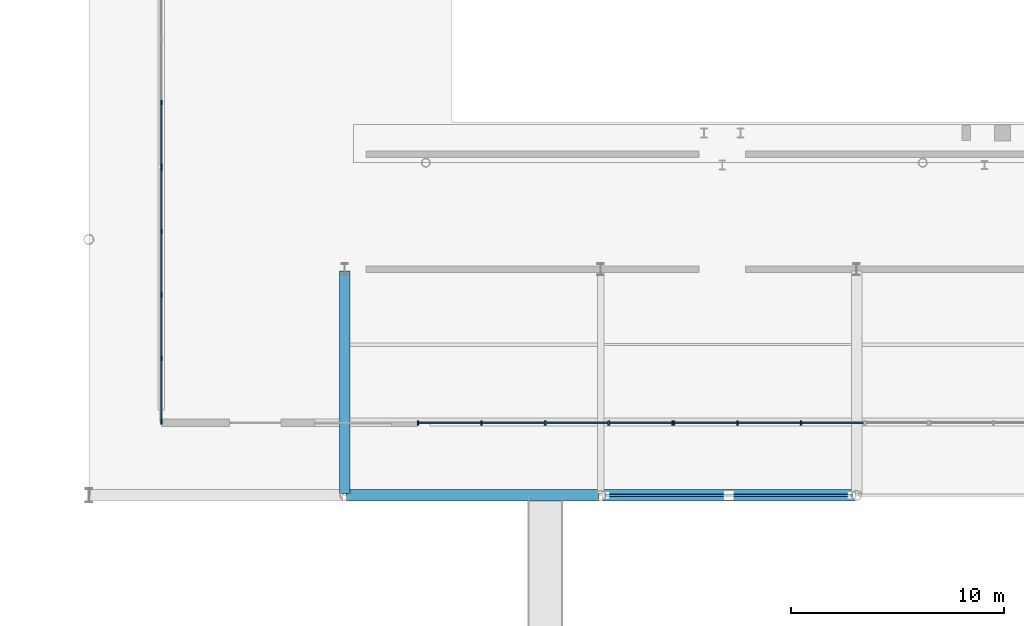
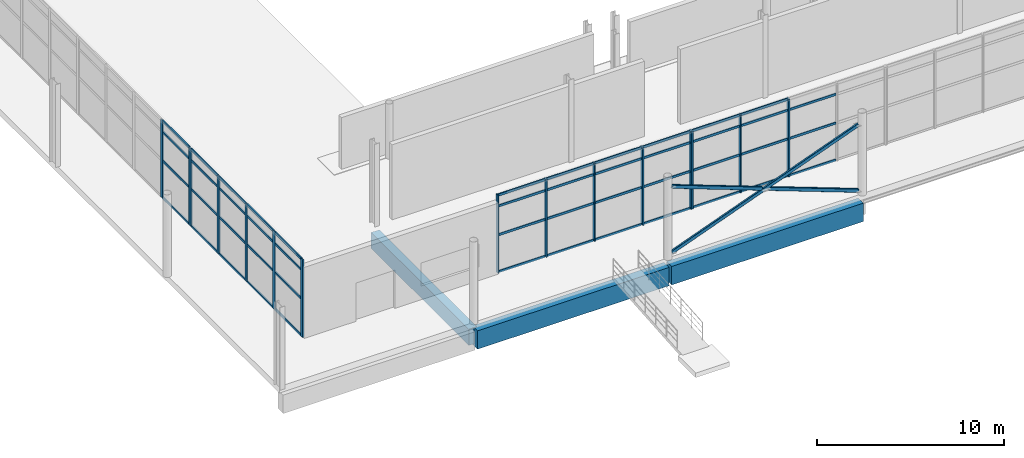
# One storey, part 16 of 85: 65 members, 3 beams, 4 elements without a shape of their own.
"""IFC4 building model written with IfcOpenShell, lengths in metres."""

import ifcopenshell
import ifcopenshell.guid

model = None  # the IFC model being written
_history = None  # IfcOwnerHistory: only IFC2X3 demands one
_inside = {}  # id of a spatial element -> (the spatial element, [elements in it])
_under = {}  # id of a project, library or spatial element -> (it, [spatial elements below it])
_declared = {}  # id of a project -> (the project, [libraries it declares])
_typed = {}  # id of a type object -> (the type object, [elements of that type])
_made_of = {}  # id of a material, layer set ... -> (it, [elements and type objects made of it])


def new_model(schema):
    """Start an empty IFC model of exactly this schema.

    Asked for "IFC4X3", IfcOpenShell would pick the latest addendum, in which some entities
    have other attributes; the version numbers below select the first issue.
    IFC2X3 requires an IfcOwnerHistory on every rooted entity: one is made here for all.
    """
    global model, _history
    if schema == "IFC4X3":
        model = ifcopenshell.file(schema_version=(4, 3, 0, 0))
    else:
        model = ifcopenshell.file(schema=schema)
    _inside.clear()
    _under.clear()
    _declared.clear()
    _typed.clear()
    _made_of.clear()
    _history = None
    if model.schema == "IFC2X3":
        org = make("IfcOrganization", Name="unknown")
        user = make(
            "IfcPersonAndOrganization",
            ThePerson=make("IfcPerson", FamilyName="unknown"),
            TheOrganization=org,
        )
        app = make(
            "IfcApplication",
            ApplicationDeveloper=org,
            Version="unknown",
            ApplicationFullName="unknown",
            ApplicationIdentifier="unknown",
        )
        _history = make(
            "IfcOwnerHistory",
            OwningUser=user,
            OwningApplication=app,
            ChangeAction="ADDED",
            CreationDate=0,
        )
    return model


def make(cls, **values):
    """One entity of the class cls with the attributes given. An attribute that is None is left unset."""
    return model.create_entity(
        cls, **{name: value for name, value in values.items() if value is not None}
    )


def rooted(cls, **values):
    """An entity with a GlobalId (a new one), such as an element, a storey or a relation."""
    return make(cls, GlobalId=ifcopenshell.guid.new(), OwnerHistory=_history, **values)


def si_unit(unit_type, name, prefix=None):
    """IfcSIUnit, for example si_unit("LENGTHUNIT", "METRE", prefix="MILLI")."""
    return make("IfcSIUnit", UnitType=unit_type, Prefix=prefix, Name=name)


def assignment(units):
    """IfcUnitAssignment: the units of a project."""
    return None if units is None else make("IfcUnitAssignment", Units=units)


def point(xyz):
    """IfcCartesianPoint."""
    return None if xyz is None else make("IfcCartesianPoint", Coordinates=xyz)


def direction(xyz):
    """IfcDirection."""
    return None if xyz is None else make("IfcDirection", DirectionRatios=xyz)


def frame(location, z_axis=None, x_axis=None):
    """IfcAxis2Placement3D, a coordinate frame: its origin and axes. An axis left out is left unset."""
    return make(
        "IfcAxis2Placement3D",
        Location=point(location),
        Axis=direction(z_axis),
        RefDirection=direction(x_axis),
    )


def frame_2d(location, x_axis=None):
    """IfcAxis2Placement2D, a coordinate frame in the plane: its origin and x axis."""
    return make(
        "IfcAxis2Placement2D", Location=point(location), RefDirection=direction(x_axis)
    )


def origin():
    """The frame at (0, 0, 0) with its axes left unset."""
    return frame((0.0, 0.0, 0.0))


def origin_2d():
    """The frame at (0, 0) in the plane with its x axis left unset."""
    return frame_2d((0.0, 0.0))


def place(relative_to, where):
    """IfcLocalPlacement: puts the frame where relative to a parent placement (None: the world)."""
    return make(
        "IfcLocalPlacement", PlacementRelTo=relative_to, RelativePlacement=where
    )


def context(
    kind, dimensions, precision=None, world=None, true_north=None, identifier=None
):
    """IfcGeometricRepresentationContext, for example the 3D "Model" context."""
    return make(
        "IfcGeometricRepresentationContext",
        ContextIdentifier=identifier,
        ContextType=kind,
        CoordinateSpaceDimension=dimensions,
        Precision=precision,
        WorldCoordinateSystem=world,
        TrueNorth=true_north,
    )


def subcontext(parent, identifier, kind, view, scale=None):
    """IfcGeometricRepresentationSubContext, for example "Body" below "Model"."""
    return make(
        "IfcGeometricRepresentationSubContext",
        ContextIdentifier=identifier,
        ContextType=kind,
        ParentContext=parent,
        TargetScale=scale,
        TargetView=view,
    )


def project(units=None, contexts=None):
    """IfcProject with its units and contexts."""
    return rooted(
        "IfcProject",
        Name="project",
        RepresentationContexts=contexts,
        UnitsInContext=assignment(units),
    )


def spatial(cls, under=None, at=None, **own):
    """A site, building, storey or space (cls), placed at a placement, below another one or the project."""
    s = rooted(cls, ObjectPlacement=at, **own)
    if under is not None:
        _under.setdefault(under.id(), (under, []))[1].append(s)
    return s


def profile(cls, at=None, kind="AREA", **sizes):
    """A parametric profile (cls). Its sizes go by their IFC names, for example OverallWidth=200.0."""
    return make(cls, ProfileType=kind, Position=at, **sizes)


def rectangle(**sizes):
    """IfcRectangleProfileDef."""
    return profile("IfcRectangleProfileDef", **sizes)


def hollow_rectangle(**sizes):
    """IfcRectangleHollowProfileDef."""
    return profile("IfcRectangleHollowProfileDef", **sizes)


def extrude(swept, where, along, depth):
    """IfcExtrudedAreaSolid: the profile swept, set in the frame where, extruded along a direction by depth."""
    return make(
        "IfcExtrudedAreaSolid",
        SweptArea=swept,
        Position=where,
        ExtrudedDirection=direction(along),
        Depth=depth,
    )


def shape(context_of_items, identifier, shape_type, items):
    """IfcShapeRepresentation: the items that make up one representation, for example the "Body"."""
    return make(
        "IfcShapeRepresentation",
        ContextOfItems=context_of_items,
        RepresentationIdentifier=identifier,
        RepresentationType=shape_type,
        Items=items,
    )


def material(Name=None, Category=None):
    """IfcMaterial."""
    return make("IfcMaterial", Name=Name, Category=Category)


def material_profile(
    of_material, cross_section, Name=None, Category=None, Priority=None
):
    """IfcMaterialProfile: a cross section and its material."""
    return make(
        "IfcMaterialProfile",
        Name=Name,
        Material=of_material,
        Profile=cross_section,
        Priority=Priority,
        Category=Category,
    )


def profile_set(profiles, Name=None, composite=None):
    """IfcMaterialProfileSet."""
    return make(
        "IfcMaterialProfileSet",
        Name=Name,
        MaterialProfiles=profiles,
        CompositeProfile=composite,
    )


def made_of(thing, what):
    """Note that an element or type object is made of a material, layer set ...; save() writes the relation."""
    if what is not None:
        _made_of.setdefault(what.id(), (what, []))[1].append(thing)
    return thing


def type_object(cls, material=None, **own):
    """A type object (cls), such as IfcWallType, which elements share."""
    return made_of(rooted(cls, **own), material)


def element(
    cls,
    number,
    at=None,
    inside=None,
    cuts=None,
    type_object=None,
    material=None,
    context=None,
    identifier="Body",
    shape_type=None,
    held_by="IfcProductDefinitionShape",
    body=None,
    shapes=None,
    **own,
):
    """One element of the class cls, such as IfcWall. Its Tag is "e" and its number.

    at: its placement. inside: the storey or other place that contains it. cuts: it is an
    opening in that element (IfcRelVoidsElement). A single representation is given by context,
    identifier, shape_type and body (its items); several are given by shapes. held_by: the class
    of the entity that holds the representations. save() writes the other relations.
    """
    e = rooted(cls, Tag="e%d" % number, ObjectPlacement=at, **own)
    if body is not None:
        shapes = [shape(context, identifier, shape_type, body)]
    if shapes is not None:
        e.Representation = make(held_by, Representations=shapes)
    if inside is not None:
        _inside.setdefault(inside.id(), (inside, []))[1].append(e)
    if cuts is not None:
        rooted(
            "IfcRelVoidsElement", RelatingBuildingElement=cuts, RelatedOpeningElement=e
        )
    if type_object is not None:
        _typed.setdefault(type_object.id(), (type_object, []))[1].append(e)
    return made_of(e, material)


def aggregate(whole, parts):
    """IfcRelAggregates: a whole, such as a stair, and the parts it consists of."""
    return rooted("IfcRelAggregates", RelatingObject=whole, RelatedObjects=parts)


def save(model, path):
    """Write the relations noted so far, then the file.

    IfcRelAggregates (storeys below a building ...), IfcRelContainedInSpatialStructure (elements
    in a storey), IfcRelDefinesByType, IfcRelAssociatesMaterial and IfcRelDeclares: one each for
    every whole, place, type object, material and project.
    """
    for whole, parts in _under.values():
        aggregate(whole, parts)
    for where, things in _inside.values():
        rooted(
            "IfcRelContainedInSpatialStructure",
            RelatedElements=things,
            RelatingStructure=where,
        )
    for kind, things in _typed.values():
        rooted("IfcRelDefinesByType", RelatedObjects=things, RelatingType=kind)
    for what, things in _made_of.values():
        rooted("IfcRelAssociatesMaterial", RelatedObjects=things, RelatingMaterial=what)
    for by, libraries in _declared.values():
        rooted("IfcRelDeclares", RelatingContext=by, RelatedDefinitions=libraries)
    model.write(path)


model = new_model("IFC4")

# Units and contexts
model_context = context("Model", 3, precision=1e-05, world=origin(), true_north=direction((0.0, 1.0)))
body_context = subcontext(model_context, "Body", "Model", "MODEL_VIEW")
ifc_project = project(units=[si_unit("LENGTHUNIT", "METRE"), si_unit("AREAUNIT", "SQUARE_METRE"), si_unit("VOLUMEUNIT", "CUBIC_METRE"), si_unit("PLANEANGLEUNIT", "RADIAN"), si_unit("MASSUNIT", "GRAM", prefix="KILO"), si_unit("THERMODYNAMICTEMPERATUREUNIT", "KELVIN"), si_unit("POWERUNIT", "WATT")], contexts=[model_context])

# Site, building, storey
site_placement = place(None, origin())
site = spatial("IfcSite", under=ifc_project, at=site_placement, CompositionType="ELEMENT")
building_placement = place(site_placement, origin())
building = spatial("IfcBuilding", under=site, at=building_placement, Name="Solmara Park Aquatics Centre", CompositionType="ELEMENT")
storey_placement = place(building_placement, origin())
storey = spatial("IfcBuildingStorey", under=building, at=storey_placement, Name="L00", CompositionType="ELEMENT", Elevation=0.0)

# Curtain wall, members
ifc_material_1 = material(Name="Anodised Aluminium Curtain Wall Framing", Category="aluminium")
curtain_wall_type = type_object("IfcCurtainWallType", Name="ARC-CW-SYS01", PredefinedType="USERDEFINED", material=ifc_material_1)
curtain_wall_1_placement = place(storey_placement, origin())
curtain_wall_1 = element("IfcCurtainWall", 1, at=curtain_wall_1_placement, inside=storey, type_object=curtain_wall_type, Name="Curtain Wall CW-001", ObjectType="CURTAIN WALL", PredefinedType="USERDEFINED")
ifc_material_2 = material(Name="Anodised Aluminium Alloy 6063-T6", Category="aluminium")
ifc_material_profile_1 = material_profile(ifc_material_2, rectangle(XDim=0.074951171875, YDim=0.219970703125, at=origin_2d()), Name="ALU MULLION 75x220")
ifc_profile_set_1 = profile_set([ifc_material_profile_1], Name="Anodised Aluminium Alloy 6063-T6")
member_type_1 = type_object("IfcMemberType", Name="ARC-CWM-75x220", PredefinedType="MULLION", material=ifc_profile_set_1)
member_1_placement = place(storey_placement, frame((28.0400390625, 16.0, 0.0), z_axis=(0.0, 0.0, 1.0), x_axis=(1.0, 0.0, 0.0)))
member_1 = element("IfcMember", 2, at=member_1_placement, type_object=member_type_1, Name="CW-001 mullion 1", PredefinedType="MULLION", context=body_context, shape_type="SweptSolid", body=[
    extrude(rectangle(XDim=0.074951171875, YDim=0.219970703125, at=origin_2d()), origin(), (0.0, 0.0, 1.0), 5.080078125),
])
member_2_placement = place(storey_placement, frame((31.02001953125, 16.0, 0.0), z_axis=(0.0, 0.0, 1.0), x_axis=(1.0, 0.0, 0.0)))
member_2 = element("IfcMember", 3, at=member_2_placement, type_object=member_type_1, Name="CW-001 mullion 2", PredefinedType="MULLION", context=body_context, shape_type="SweptSolid", body=[
    extrude(rectangle(XDim=0.074951171875, YDim=0.219970703125, at=origin_2d()), origin(), (0.0, 0.0, 1.0), 5.080078125),
])
member_3_placement = place(storey_placement, frame((34.0, 16.0, 0.0), z_axis=(0.0, 0.0, 1.0), x_axis=(1.0, 0.0, 0.0)))
member_3 = element("IfcMember", 4, at=member_3_placement, type_object=member_type_1, Name="CW-001 mullion 3", PredefinedType="MULLION", context=body_context, shape_type="SweptSolid", body=[
    extrude(rectangle(XDim=0.074951171875, YDim=0.219970703125, at=origin_2d()), origin(), (0.0, 0.0, 1.0), 5.080078125),
])
member_4_placement = place(storey_placement, frame((36.97998046875, 16.0, 0.0), z_axis=(0.0, 0.0, 1.0), x_axis=(1.0, 0.0, 0.0)))
member_4 = element("IfcMember", 5, at=member_4_placement, type_object=member_type_1, Name="CW-001 mullion 4", PredefinedType="MULLION", context=body_context, shape_type="SweptSolid", body=[
    extrude(rectangle(XDim=0.074951171875, YDim=0.219970703125, at=origin_2d()), origin(), (0.0, 0.0, 1.0), 5.080078125),
])
member_5_placement = place(storey_placement, frame((39.9599609375, 16.0, 0.0), z_axis=(0.0, 0.0, 1.0), x_axis=(1.0, 0.0, 0.0)))
member_5 = element("IfcMember", 6, at=member_5_placement, type_object=member_type_1, Name="CW-001 mullion 5", PredefinedType="MULLION", context=body_context, shape_type="SweptSolid", body=[
    extrude(rectangle(XDim=0.074951171875, YDim=0.219970703125, at=origin_2d()), origin(), (0.0, 0.0, 1.0), 5.080078125),
])

curtain_wall_2_placement = place(storey_placement, origin())
curtain_wall_2 = element("IfcCurtainWall", 7, at=curtain_wall_2_placement, inside=storey, type_object=curtain_wall_type, Name="Curtain Wall CW-003", ObjectType="CURTAIN WALL", PredefinedType="USERDEFINED")
member_6_placement = place(storey_placement, frame((40.0400390625, 16.0, 0.0), z_axis=(0.0, 0.0, 1.0), x_axis=(1.0, 0.0, 0.0)))
member_6 = element("IfcMember", 8, at=member_6_placement, type_object=member_type_1, Name="CW-003 mullion 1", PredefinedType="MULLION", context=body_context, shape_type="SweptSolid", body=[
    extrude(rectangle(XDim=0.074951171875, YDim=0.219970703125, at=origin_2d()), origin(), (0.0, 0.0, 1.0), 5.080078125),
])
member_7_placement = place(storey_placement, frame((43.02001953125, 16.0, 0.0), z_axis=(0.0, 0.0, 1.0), x_axis=(1.0, 0.0, 0.0)))
member_7 = element("IfcMember", 9, at=member_7_placement, type_object=member_type_1, Name="CW-003 mullion 2", PredefinedType="MULLION", context=body_context, shape_type="SweptSolid", body=[
    extrude(rectangle(XDim=0.074951171875, YDim=0.219970703125, at=origin_2d()), origin(), (0.0, 0.0, 1.0), 5.080078125),
])
member_8_placement = place(storey_placement, frame((46.0, 16.0, 0.0), z_axis=(0.0, 0.0, 1.0), x_axis=(1.0, 0.0, 0.0)))
member_8 = element("IfcMember", 10, at=member_8_placement, type_object=member_type_1, Name="CW-003 mullion 3", PredefinedType="MULLION", context=body_context, shape_type="SweptSolid", body=[
    extrude(rectangle(XDim=0.074951171875, YDim=0.219970703125, at=origin_2d()), origin(), (0.0, 0.0, 1.0), 5.080078125),
])

curtain_wall_3_placement = place(storey_placement, origin())
curtain_wall_3 = element("IfcCurtainWall", 11, at=curtain_wall_3_placement, inside=storey, type_object=curtain_wall_type, Name="Curtain Wall CW-011", ObjectType="CURTAIN WALL", PredefinedType="USERDEFINED")
member_9_placement = place(storey_placement, frame((16.0, 16.0400390625, 0.0), z_axis=(0.0, 0.0, 1.0), x_axis=(1.0, 0.0, 0.0)))
member_9 = element("IfcMember", 12, at=member_9_placement, type_object=member_type_1, Name="CW-011 mullion 1", PredefinedType="MULLION", context=body_context, shape_type="SweptSolid", body=[
    extrude(rectangle(XDim=0.074951171875, YDim=0.219970703125, at=origin_2d()), origin(), (0.0, 0.0, 1.0), 5.080078125),
])
member_10_placement = place(storey_placement, frame((16.0, 19.02001953125, 0.0), z_axis=(0.0, 0.0, 1.0), x_axis=(1.0, 0.0, 0.0)))
member_10 = element("IfcMember", 13, at=member_10_placement, type_object=member_type_1, Name="CW-011 mullion 2", PredefinedType="MULLION", context=body_context, shape_type="SweptSolid", body=[
    extrude(rectangle(XDim=0.074951171875, YDim=0.219970703125, at=origin_2d()), origin(), (0.0, 0.0, 1.0), 5.080078125),
])
member_11_placement = place(storey_placement, frame((16.0, 22.0, 0.0), z_axis=(0.0, 0.0, 1.0), x_axis=(1.0, 0.0, 0.0)))
member_11 = element("IfcMember", 14, at=member_11_placement, type_object=member_type_1, Name="CW-011 mullion 3", PredefinedType="MULLION", context=body_context, shape_type="SweptSolid", body=[
    extrude(rectangle(XDim=0.074951171875, YDim=0.219970703125, at=origin_2d()), origin(), (0.0, 0.0, 1.0), 5.080078125),
])
member_12_placement = place(storey_placement, frame((16.0, 24.97998046875, 0.0), z_axis=(0.0, 0.0, 1.0), x_axis=(1.0, 0.0, 0.0)))
member_12 = element("IfcMember", 15, at=member_12_placement, type_object=member_type_1, Name="CW-011 mullion 4", PredefinedType="MULLION", context=body_context, shape_type="SweptSolid", body=[
    extrude(rectangle(XDim=0.074951171875, YDim=0.219970703125, at=origin_2d()), origin(), (0.0, 0.0, 1.0), 5.080078125),
])
member_13_placement = place(storey_placement, frame((16.0, 27.9599609375, 0.0), z_axis=(0.0, 0.0, 1.0), x_axis=(1.0, 0.0, 0.0)))
member_13 = element("IfcMember", 16, at=member_13_placement, type_object=member_type_1, Name="CW-011 mullion 5", PredefinedType="MULLION", context=body_context, shape_type="SweptSolid", body=[
    extrude(rectangle(XDim=0.074951171875, YDim=0.219970703125, at=origin_2d()), origin(), (0.0, 0.0, 1.0), 5.080078125),
])

curtain_wall_4_placement = place(storey_placement, origin())
curtain_wall_4 = element("IfcCurtainWall", 17, at=curtain_wall_4_placement, inside=storey, type_object=curtain_wall_type, Name="Curtain Wall CW-013", ObjectType="CURTAIN WALL", PredefinedType="USERDEFINED")
member_14_placement = place(storey_placement, frame((16.0, 28.0400390625, 0.0), z_axis=(0.0, 0.0, 1.0), x_axis=(1.0, 0.0, 0.0)))
member_14 = element("IfcMember", 18, at=member_14_placement, type_object=member_type_1, Name="CW-013 mullion 1", PredefinedType="MULLION", context=body_context, shape_type="SweptSolid", body=[
    extrude(rectangle(XDim=0.074951171875, YDim=0.219970703125, at=origin_2d()), origin(), (0.0, 0.0, 1.0), 5.080078125),
])
member_15_placement = place(storey_placement, frame((16.0, 31.02001953125, 0.0), z_axis=(0.0, 0.0, 1.0), x_axis=(1.0, 0.0, 0.0)))
member_15 = element("IfcMember", 19, at=member_15_placement, type_object=member_type_1, Name="CW-013 mullion 2", PredefinedType="MULLION", context=body_context, shape_type="SweptSolid", body=[
    extrude(rectangle(XDim=0.074951171875, YDim=0.219970703125, at=origin_2d()), origin(), (0.0, 0.0, 1.0), 5.080078125),
])

# Member
ifc_material_profile_2 = material_profile(ifc_material_2, rectangle(XDim=0.074951171875, YDim=0.14990234375, at=origin_2d()), Name="ALU TRANSOM 75x150")
ifc_profile_set_2 = profile_set([ifc_material_profile_2], Name="Anodised Aluminium Alloy 6063-T6")
member_type_2 = type_object("IfcMemberType", Name="ARC-CWT-75x150", PredefinedType="USERDEFINED", material=ifc_profile_set_2)
member_16_placement = place(storey_placement, frame((28.06005859375, 16.0, 0.0400390625), z_axis=(1.0, 0.0, 0.0), x_axis=(0.0, 1.0, 0.0)))
member_16 = element("IfcMember", 20, at=member_16_placement, type_object=member_type_2, Name="CW-001 transom 1", ObjectType="TRANSOM", PredefinedType="USERDEFINED", context=body_context, shape_type="SweptSolid", body=[
    extrude(rectangle(XDim=0.074951171875, YDim=0.14990234375, at=origin_2d()), origin(), (0.0, 0.0, 1.0), 2.89990234375),
])

member_17_placement = place(storey_placement, frame((28.06005859375, 16.0, 2.449951171875), z_axis=(1.0, 0.0, 0.0), x_axis=(0.0, 1.0, 0.0)))
member_17 = element("IfcMember", 21, at=member_17_placement, type_object=member_type_2, Name="CW-001 transom 2", ObjectType="TRANSOM", PredefinedType="USERDEFINED", context=body_context, shape_type="SweptSolid", body=[
    extrude(rectangle(XDim=0.074951171875, YDim=0.14990234375, at=origin_2d()), origin(), (0.0, 0.0, 1.0), 2.89990234375),
])

member_18_placement = place(storey_placement, frame((28.06005859375, 16.0, 4.330078125), z_axis=(1.0, 0.0, 0.0), x_axis=(0.0, 1.0, 0.0)))
member_18 = element("IfcMember", 22, at=member_18_placement, type_object=member_type_2, Name="CW-001 transom 3", ObjectType="TRANSOM", PredefinedType="USERDEFINED", context=body_context, shape_type="SweptSolid", body=[
    extrude(rectangle(XDim=0.074951171875, YDim=0.14990234375, at=origin_2d()), origin(), (0.0, 0.0, 1.0), 2.89990234375),
])

member_19_placement = place(storey_placement, frame((28.06005859375, 16.0, 5.0400390625), z_axis=(1.0, 0.0, 0.0), x_axis=(0.0, 1.0, 0.0)))
member_19 = element("IfcMember", 23, at=member_19_placement, type_object=member_type_2, Name="CW-001 transom 4", ObjectType="TRANSOM", PredefinedType="USERDEFINED", context=body_context, shape_type="SweptSolid", body=[
    extrude(rectangle(XDim=0.074951171875, YDim=0.14990234375, at=origin_2d()), origin(), (0.0, 0.0, 1.0), 2.89990234375),
])

member_20_placement = place(storey_placement, frame((31.0400390625, 16.0, 0.0400390625), z_axis=(1.0, 0.0, 0.0), x_axis=(0.0, 1.0, 0.0)))
member_20 = element("IfcMember", 24, at=member_20_placement, type_object=member_type_2, Name="CW-001 transom 5", ObjectType="TRANSOM", PredefinedType="USERDEFINED", context=body_context, shape_type="SweptSolid", body=[
    extrude(rectangle(XDim=0.074951171875, YDim=0.14990234375, at=origin_2d()), origin(), (0.0, 0.0, 1.0), 2.89990234375),
])

member_21_placement = place(storey_placement, frame((31.0400390625, 16.0, 2.449951171875), z_axis=(1.0, 0.0, 0.0), x_axis=(0.0, 1.0, 0.0)))
member_21 = element("IfcMember", 25, at=member_21_placement, type_object=member_type_2, Name="CW-001 transom 6", ObjectType="TRANSOM", PredefinedType="USERDEFINED", context=body_context, shape_type="SweptSolid", body=[
    extrude(rectangle(XDim=0.074951171875, YDim=0.14990234375, at=origin_2d()), origin(), (0.0, 0.0, 1.0), 2.89990234375),
])

member_22_placement = place(storey_placement, frame((31.0400390625, 16.0, 4.330078125), z_axis=(1.0, 0.0, 0.0), x_axis=(0.0, 1.0, 0.0)))
member_22 = element("IfcMember", 26, at=member_22_placement, type_object=member_type_2, Name="CW-001 transom 7", ObjectType="TRANSOM", PredefinedType="USERDEFINED", context=body_context, shape_type="SweptSolid", body=[
    extrude(rectangle(XDim=0.074951171875, YDim=0.14990234375, at=origin_2d()), origin(), (0.0, 0.0, 1.0), 2.89990234375),
])

member_23_placement = place(storey_placement, frame((31.0400390625, 16.0, 5.0400390625), z_axis=(1.0, 0.0, 0.0), x_axis=(0.0, 1.0, 0.0)))
member_23 = element("IfcMember", 27, at=member_23_placement, type_object=member_type_2, Name="CW-001 transom 8", ObjectType="TRANSOM", PredefinedType="USERDEFINED", context=body_context, shape_type="SweptSolid", body=[
    extrude(rectangle(XDim=0.074951171875, YDim=0.14990234375, at=origin_2d()), origin(), (0.0, 0.0, 1.0), 2.89990234375),
])

member_24_placement = place(storey_placement, frame((34.02001953125, 16.0, 0.0400390625), z_axis=(1.0, 0.0, 0.0), x_axis=(0.0, 1.0, 0.0)))
member_24 = element("IfcMember", 28, at=member_24_placement, type_object=member_type_2, Name="CW-001 transom 9", ObjectType="TRANSOM", PredefinedType="USERDEFINED", context=body_context, shape_type="SweptSolid", body=[
    extrude(rectangle(XDim=0.074951171875, YDim=0.14990234375, at=origin_2d()), origin(), (0.0, 0.0, 1.0), 2.89990234375),
])

member_25_placement = place(storey_placement, frame((34.02001953125, 16.0, 2.449951171875), z_axis=(1.0, 0.0, 0.0), x_axis=(0.0, 1.0, 0.0)))
member_25 = element("IfcMember", 29, at=member_25_placement, type_object=member_type_2, Name="CW-001 transom 10", ObjectType="TRANSOM", PredefinedType="USERDEFINED", context=body_context, shape_type="SweptSolid", body=[
    extrude(rectangle(XDim=0.074951171875, YDim=0.14990234375, at=origin_2d()), origin(), (0.0, 0.0, 1.0), 2.89990234375),
])

member_26_placement = place(storey_placement, frame((34.02001953125, 16.0, 4.330078125), z_axis=(1.0, 0.0, 0.0), x_axis=(0.0, 1.0, 0.0)))
member_26 = element("IfcMember", 30, at=member_26_placement, type_object=member_type_2, Name="CW-001 transom 11", ObjectType="TRANSOM", PredefinedType="USERDEFINED", context=body_context, shape_type="SweptSolid", body=[
    extrude(rectangle(XDim=0.074951171875, YDim=0.14990234375, at=origin_2d()), origin(), (0.0, 0.0, 1.0), 2.89990234375),
])

member_27_placement = place(storey_placement, frame((34.02001953125, 16.0, 5.0400390625), z_axis=(1.0, 0.0, 0.0), x_axis=(0.0, 1.0, 0.0)))
member_27 = element("IfcMember", 31, at=member_27_placement, type_object=member_type_2, Name="CW-001 transom 12", ObjectType="TRANSOM", PredefinedType="USERDEFINED", context=body_context, shape_type="SweptSolid", body=[
    extrude(rectangle(XDim=0.074951171875, YDim=0.14990234375, at=origin_2d()), origin(), (0.0, 0.0, 1.0), 2.89990234375),
])

member_28_placement = place(storey_placement, frame((37.0, 16.0, 0.0400390625), z_axis=(1.0, 0.0, 0.0), x_axis=(0.0, 1.0, 0.0)))
member_28 = element("IfcMember", 32, at=member_28_placement, type_object=member_type_2, Name="CW-001 transom 13", ObjectType="TRANSOM", PredefinedType="USERDEFINED", context=body_context, shape_type="SweptSolid", body=[
    extrude(rectangle(XDim=0.074951171875, YDim=0.14990234375, at=origin_2d()), origin(), (0.0, 0.0, 1.0), 2.89990234375),
])

member_29_placement = place(storey_placement, frame((37.0, 16.0, 2.449951171875), z_axis=(1.0, 0.0, 0.0), x_axis=(0.0, 1.0, 0.0)))
member_29 = element("IfcMember", 33, at=member_29_placement, type_object=member_type_2, Name="CW-001 transom 14", ObjectType="TRANSOM", PredefinedType="USERDEFINED", context=body_context, shape_type="SweptSolid", body=[
    extrude(rectangle(XDim=0.074951171875, YDim=0.14990234375, at=origin_2d()), origin(), (0.0, 0.0, 1.0), 2.89990234375),
])

member_30_placement = place(storey_placement, frame((37.0, 16.0, 4.330078125), z_axis=(1.0, 0.0, 0.0), x_axis=(0.0, 1.0, 0.0)))
member_30 = element("IfcMember", 34, at=member_30_placement, type_object=member_type_2, Name="CW-001 transom 15", ObjectType="TRANSOM", PredefinedType="USERDEFINED", context=body_context, shape_type="SweptSolid", body=[
    extrude(rectangle(XDim=0.074951171875, YDim=0.14990234375, at=origin_2d()), origin(), (0.0, 0.0, 1.0), 2.89990234375),
])

member_31_placement = place(storey_placement, frame((37.0, 16.0, 5.0400390625), z_axis=(1.0, 0.0, 0.0), x_axis=(0.0, 1.0, 0.0)))
member_31 = element("IfcMember", 35, at=member_31_placement, type_object=member_type_2, Name="CW-001 transom 16", ObjectType="TRANSOM", PredefinedType="USERDEFINED", context=body_context, shape_type="SweptSolid", body=[
    extrude(rectangle(XDim=0.074951171875, YDim=0.14990234375, at=origin_2d()), origin(), (0.0, 0.0, 1.0), 2.89990234375),
])

aggregate(curtain_wall_1, [member_1, member_2, member_3, member_4, member_5, member_16, member_17, member_18, member_19, member_20, member_21, member_22, member_23, member_24, member_25, member_26, member_27, member_28, member_29, member_30, member_31])

member_32_placement = place(storey_placement, frame((40.06005859375, 16.0, 0.0400390625), z_axis=(1.0, 0.0, 0.0), x_axis=(0.0, 1.0, 0.0)))
member_32 = element("IfcMember", 36, at=member_32_placement, type_object=member_type_2, Name="CW-003 transom 1", ObjectType="TRANSOM", PredefinedType="USERDEFINED", context=body_context, shape_type="SweptSolid", body=[
    extrude(rectangle(XDim=0.074951171875, YDim=0.14990234375, at=origin_2d()), origin(), (0.0, 0.0, 1.0), 2.89990234375),
])

member_33_placement = place(storey_placement, frame((40.06005859375, 16.0, 2.449951171875), z_axis=(1.0, 0.0, 0.0), x_axis=(0.0, 1.0, 0.0)))
member_33 = element("IfcMember", 37, at=member_33_placement, type_object=member_type_2, Name="CW-003 transom 2", ObjectType="TRANSOM", PredefinedType="USERDEFINED", context=body_context, shape_type="SweptSolid", body=[
    extrude(rectangle(XDim=0.074951171875, YDim=0.14990234375, at=origin_2d()), origin(), (0.0, 0.0, 1.0), 2.89990234375),
])

member_34_placement = place(storey_placement, frame((40.06005859375, 16.0, 4.330078125), z_axis=(1.0, 0.0, 0.0), x_axis=(0.0, 1.0, 0.0)))
member_34 = element("IfcMember", 38, at=member_34_placement, type_object=member_type_2, Name="CW-003 transom 3", ObjectType="TRANSOM", PredefinedType="USERDEFINED", context=body_context, shape_type="SweptSolid", body=[
    extrude(rectangle(XDim=0.074951171875, YDim=0.14990234375, at=origin_2d()), origin(), (0.0, 0.0, 1.0), 2.89990234375),
])

member_35_placement = place(storey_placement, frame((40.06005859375, 16.0, 5.0400390625), z_axis=(1.0, 0.0, 0.0), x_axis=(0.0, 1.0, 0.0)))
member_35 = element("IfcMember", 39, at=member_35_placement, type_object=member_type_2, Name="CW-003 transom 4", ObjectType="TRANSOM", PredefinedType="USERDEFINED", context=body_context, shape_type="SweptSolid", body=[
    extrude(rectangle(XDim=0.074951171875, YDim=0.14990234375, at=origin_2d()), origin(), (0.0, 0.0, 1.0), 2.89990234375),
])

member_36_placement = place(storey_placement, frame((43.0400390625, 16.0, 0.0400390625), z_axis=(1.0, 0.0, 0.0), x_axis=(0.0, 1.0, 0.0)))
member_36 = element("IfcMember", 40, at=member_36_placement, type_object=member_type_2, Name="CW-003 transom 5", ObjectType="TRANSOM", PredefinedType="USERDEFINED", context=body_context, shape_type="SweptSolid", body=[
    extrude(rectangle(XDim=0.074951171875, YDim=0.14990234375, at=origin_2d()), origin(), (0.0, 0.0, 1.0), 2.89990234375),
])

member_37_placement = place(storey_placement, frame((43.0400390625, 16.0, 2.449951171875), z_axis=(1.0, 0.0, 0.0), x_axis=(0.0, 1.0, 0.0)))
member_37 = element("IfcMember", 41, at=member_37_placement, type_object=member_type_2, Name="CW-003 transom 6", ObjectType="TRANSOM", PredefinedType="USERDEFINED", context=body_context, shape_type="SweptSolid", body=[
    extrude(rectangle(XDim=0.074951171875, YDim=0.14990234375, at=origin_2d()), origin(), (0.0, 0.0, 1.0), 2.89990234375),
])

member_38_placement = place(storey_placement, frame((43.0400390625, 16.0, 4.330078125), z_axis=(1.0, 0.0, 0.0), x_axis=(0.0, 1.0, 0.0)))
member_38 = element("IfcMember", 42, at=member_38_placement, type_object=member_type_2, Name="CW-003 transom 7", ObjectType="TRANSOM", PredefinedType="USERDEFINED", context=body_context, shape_type="SweptSolid", body=[
    extrude(rectangle(XDim=0.074951171875, YDim=0.14990234375, at=origin_2d()), origin(), (0.0, 0.0, 1.0), 2.89990234375),
])

member_39_placement = place(storey_placement, frame((43.0400390625, 16.0, 5.0400390625), z_axis=(1.0, 0.0, 0.0), x_axis=(0.0, 1.0, 0.0)))
member_39 = element("IfcMember", 43, at=member_39_placement, type_object=member_type_2, Name="CW-003 transom 8", ObjectType="TRANSOM", PredefinedType="USERDEFINED", context=body_context, shape_type="SweptSolid", body=[
    extrude(rectangle(XDim=0.074951171875, YDim=0.14990234375, at=origin_2d()), origin(), (0.0, 0.0, 1.0), 2.89990234375),
])

member_40_placement = place(storey_placement, frame((46.02001953125, 16.0, 0.0400390625), z_axis=(1.0, 0.0, 0.0), x_axis=(0.0, 1.0, 0.0)))
member_40 = element("IfcMember", 44, at=member_40_placement, type_object=member_type_2, Name="CW-003 transom 9", ObjectType="TRANSOM", PredefinedType="USERDEFINED", context=body_context, shape_type="SweptSolid", body=[
    extrude(rectangle(XDim=0.074951171875, YDim=0.14990234375, at=origin_2d()), origin(), (0.0, 0.0, 1.0), 2.89990234375),
])

member_41_placement = place(storey_placement, frame((46.02001953125, 16.0, 2.449951171875), z_axis=(1.0, 0.0, 0.0), x_axis=(0.0, 1.0, 0.0)))
member_41 = element("IfcMember", 45, at=member_41_placement, type_object=member_type_2, Name="CW-003 transom 10", ObjectType="TRANSOM", PredefinedType="USERDEFINED", context=body_context, shape_type="SweptSolid", body=[
    extrude(rectangle(XDim=0.074951171875, YDim=0.14990234375, at=origin_2d()), origin(), (0.0, 0.0, 1.0), 2.89990234375),
])

member_42_placement = place(storey_placement, frame((46.02001953125, 16.0, 4.330078125), z_axis=(1.0, 0.0, 0.0), x_axis=(0.0, 1.0, 0.0)))
member_42 = element("IfcMember", 46, at=member_42_placement, type_object=member_type_2, Name="CW-003 transom 11", ObjectType="TRANSOM", PredefinedType="USERDEFINED", context=body_context, shape_type="SweptSolid", body=[
    extrude(rectangle(XDim=0.074951171875, YDim=0.14990234375, at=origin_2d()), origin(), (0.0, 0.0, 1.0), 2.89990234375),
])

aggregate(curtain_wall_2, [member_6, member_7, member_8, member_32, member_33, member_34, member_35, member_36, member_37, member_38, member_39, member_40, member_41, member_42])

member_43_placement = place(storey_placement, frame((16.0, 16.06005859375, 0.0400390625), z_axis=(0.0, 1.0, 0.0), x_axis=(-1.0, 0.0, 0.0)))
member_43 = element("IfcMember", 47, at=member_43_placement, type_object=member_type_2, Name="CW-011 transom 1", ObjectType="TRANSOM", PredefinedType="USERDEFINED", context=body_context, shape_type="SweptSolid", body=[
    extrude(rectangle(XDim=0.074951171875, YDim=0.14990234375, at=origin_2d()), origin(), (0.0, 0.0, 1.0), 2.89990234375),
])

member_44_placement = place(storey_placement, frame((16.0, 16.06005859375, 2.449951171875), z_axis=(0.0, 1.0, 0.0), x_axis=(-1.0, 0.0, 0.0)))
member_44 = element("IfcMember", 48, at=member_44_placement, type_object=member_type_2, Name="CW-011 transom 2", ObjectType="TRANSOM", PredefinedType="USERDEFINED", context=body_context, shape_type="SweptSolid", body=[
    extrude(rectangle(XDim=0.074951171875, YDim=0.14990234375, at=origin_2d()), origin(), (0.0, 0.0, 1.0), 2.89990234375),
])

member_45_placement = place(storey_placement, frame((16.0, 16.06005859375, 4.330078125), z_axis=(0.0, 1.0, 0.0), x_axis=(-1.0, 0.0, 0.0)))
member_45 = element("IfcMember", 49, at=member_45_placement, type_object=member_type_2, Name="CW-011 transom 3", ObjectType="TRANSOM", PredefinedType="USERDEFINED", context=body_context, shape_type="SweptSolid", body=[
    extrude(rectangle(XDim=0.074951171875, YDim=0.14990234375, at=origin_2d()), origin(), (0.0, 0.0, 1.0), 2.89990234375),
])

member_46_placement = place(storey_placement, frame((16.0, 16.06005859375, 5.0400390625), z_axis=(0.0, 1.0, 0.0), x_axis=(-1.0, 0.0, 0.0)))
member_46 = element("IfcMember", 50, at=member_46_placement, type_object=member_type_2, Name="CW-011 transom 4", ObjectType="TRANSOM", PredefinedType="USERDEFINED", context=body_context, shape_type="SweptSolid", body=[
    extrude(rectangle(XDim=0.074951171875, YDim=0.14990234375, at=origin_2d()), origin(), (0.0, 0.0, 1.0), 2.89990234375),
])

member_47_placement = place(storey_placement, frame((16.0, 19.0400390625, 0.0400390625), z_axis=(0.0, 1.0, 0.0), x_axis=(-1.0, 0.0, 0.0)))
member_47 = element("IfcMember", 51, at=member_47_placement, type_object=member_type_2, Name="CW-011 transom 5", ObjectType="TRANSOM", PredefinedType="USERDEFINED", context=body_context, shape_type="SweptSolid", body=[
    extrude(rectangle(XDim=0.074951171875, YDim=0.14990234375, at=origin_2d()), origin(), (0.0, 0.0, 1.0), 2.89990234375),
])

member_48_placement = place(storey_placement, frame((16.0, 19.0400390625, 2.449951171875), z_axis=(0.0, 1.0, 0.0), x_axis=(-1.0, 0.0, 0.0)))
member_48 = element("IfcMember", 52, at=member_48_placement, type_object=member_type_2, Name="CW-011 transom 6", ObjectType="TRANSOM", PredefinedType="USERDEFINED", context=body_context, shape_type="SweptSolid", body=[
    extrude(rectangle(XDim=0.074951171875, YDim=0.14990234375, at=origin_2d()), origin(), (0.0, 0.0, 1.0), 2.89990234375),
])

member_49_placement = place(storey_placement, frame((16.0, 19.0400390625, 4.330078125), z_axis=(0.0, 1.0, 0.0), x_axis=(-1.0, 0.0, 0.0)))
member_49 = element("IfcMember", 53, at=member_49_placement, type_object=member_type_2, Name="CW-011 transom 7", ObjectType="TRANSOM", PredefinedType="USERDEFINED", context=body_context, shape_type="SweptSolid", body=[
    extrude(rectangle(XDim=0.074951171875, YDim=0.14990234375, at=origin_2d()), origin(), (0.0, 0.0, 1.0), 2.89990234375),
])

member_50_placement = place(storey_placement, frame((16.0, 19.0400390625, 5.0400390625), z_axis=(0.0, 1.0, 0.0), x_axis=(-1.0, 0.0, 0.0)))
member_50 = element("IfcMember", 54, at=member_50_placement, type_object=member_type_2, Name="CW-011 transom 8", ObjectType="TRANSOM", PredefinedType="USERDEFINED", context=body_context, shape_type="SweptSolid", body=[
    extrude(rectangle(XDim=0.074951171875, YDim=0.14990234375, at=origin_2d()), origin(), (0.0, 0.0, 1.0), 2.89990234375),
])

member_51_placement = place(storey_placement, frame((16.0, 22.02001953125, 0.0400390625), z_axis=(0.0, 1.0, 0.0), x_axis=(-1.0, 0.0, 0.0)))
member_51 = element("IfcMember", 55, at=member_51_placement, type_object=member_type_2, Name="CW-011 transom 9", ObjectType="TRANSOM", PredefinedType="USERDEFINED", context=body_context, shape_type="SweptSolid", body=[
    extrude(rectangle(XDim=0.074951171875, YDim=0.14990234375, at=origin_2d()), origin(), (0.0, 0.0, 1.0), 2.89990234375),
])

member_52_placement = place(storey_placement, frame((16.0, 22.02001953125, 2.449951171875), z_axis=(0.0, 1.0, 0.0), x_axis=(-1.0, 0.0, 0.0)))
member_52 = element("IfcMember", 56, at=member_52_placement, type_object=member_type_2, Name="CW-011 transom 10", ObjectType="TRANSOM", PredefinedType="USERDEFINED", context=body_context, shape_type="SweptSolid", body=[
    extrude(rectangle(XDim=0.074951171875, YDim=0.14990234375, at=origin_2d()), origin(), (0.0, 0.0, 1.0), 2.89990234375),
])

member_53_placement = place(storey_placement, frame((16.0, 22.02001953125, 4.330078125), z_axis=(0.0, 1.0, 0.0), x_axis=(-1.0, 0.0, 0.0)))
member_53 = element("IfcMember", 57, at=member_53_placement, type_object=member_type_2, Name="CW-011 transom 11", ObjectType="TRANSOM", PredefinedType="USERDEFINED", context=body_context, shape_type="SweptSolid", body=[
    extrude(rectangle(XDim=0.074951171875, YDim=0.14990234375, at=origin_2d()), origin(), (0.0, 0.0, 1.0), 2.89990234375),
])

member_54_placement = place(storey_placement, frame((16.0, 22.02001953125, 5.0400390625), z_axis=(0.0, 1.0, 0.0), x_axis=(-1.0, 0.0, 0.0)))
member_54 = element("IfcMember", 58, at=member_54_placement, type_object=member_type_2, Name="CW-011 transom 12", ObjectType="TRANSOM", PredefinedType="USERDEFINED", context=body_context, shape_type="SweptSolid", body=[
    extrude(rectangle(XDim=0.074951171875, YDim=0.14990234375, at=origin_2d()), origin(), (0.0, 0.0, 1.0), 2.89990234375),
])

member_55_placement = place(storey_placement, frame((16.0, 25.0, 0.0400390625), z_axis=(0.0, 1.0, 0.0), x_axis=(-1.0, 0.0, 0.0)))
member_55 = element("IfcMember", 59, at=member_55_placement, type_object=member_type_2, Name="CW-011 transom 13", ObjectType="TRANSOM", PredefinedType="USERDEFINED", context=body_context, shape_type="SweptSolid", body=[
    extrude(rectangle(XDim=0.074951171875, YDim=0.14990234375, at=origin_2d()), origin(), (0.0, 0.0, 1.0), 2.89990234375),
])

member_56_placement = place(storey_placement, frame((16.0, 25.0, 2.449951171875), z_axis=(0.0, 1.0, 0.0), x_axis=(-1.0, 0.0, 0.0)))
member_56 = element("IfcMember", 60, at=member_56_placement, type_object=member_type_2, Name="CW-011 transom 14", ObjectType="TRANSOM", PredefinedType="USERDEFINED", context=body_context, shape_type="SweptSolid", body=[
    extrude(rectangle(XDim=0.074951171875, YDim=0.14990234375, at=origin_2d()), origin(), (0.0, 0.0, 1.0), 2.89990234375),
])

member_57_placement = place(storey_placement, frame((16.0, 25.0, 4.330078125), z_axis=(0.0, 1.0, 0.0), x_axis=(-1.0, 0.0, 0.0)))
member_57 = element("IfcMember", 61, at=member_57_placement, type_object=member_type_2, Name="CW-011 transom 15", ObjectType="TRANSOM", PredefinedType="USERDEFINED", context=body_context, shape_type="SweptSolid", body=[
    extrude(rectangle(XDim=0.074951171875, YDim=0.14990234375, at=origin_2d()), origin(), (0.0, 0.0, 1.0), 2.89990234375),
])

member_58_placement = place(storey_placement, frame((16.0, 25.0, 5.0400390625), z_axis=(0.0, 1.0, 0.0), x_axis=(-1.0, 0.0, 0.0)))
member_58 = element("IfcMember", 62, at=member_58_placement, type_object=member_type_2, Name="CW-011 transom 16", ObjectType="TRANSOM", PredefinedType="USERDEFINED", context=body_context, shape_type="SweptSolid", body=[
    extrude(rectangle(XDim=0.074951171875, YDim=0.14990234375, at=origin_2d()), origin(), (0.0, 0.0, 1.0), 2.89990234375),
])

aggregate(curtain_wall_3, [member_9, member_10, member_11, member_12, member_13, member_43, member_44, member_45, member_46, member_47, member_48, member_49, member_50, member_51, member_52, member_53, member_54, member_55, member_56, member_57, member_58])

member_59_placement = place(storey_placement, frame((16.0, 28.06005859375, 0.0400390625), z_axis=(0.0, 1.0, 0.0), x_axis=(-1.0, 0.0, 0.0)))
member_59 = element("IfcMember", 63, at=member_59_placement, type_object=member_type_2, Name="CW-013 transom 1", ObjectType="TRANSOM", PredefinedType="USERDEFINED", context=body_context, shape_type="SweptSolid", body=[
    extrude(rectangle(XDim=0.074951171875, YDim=0.14990234375, at=origin_2d()), origin(), (0.0, 0.0, 1.0), 2.89990234375),
])

member_60_placement = place(storey_placement, frame((16.0, 28.06005859375, 2.449951171875), z_axis=(0.0, 1.0, 0.0), x_axis=(-1.0, 0.0, 0.0)))
member_60 = element("IfcMember", 64, at=member_60_placement, type_object=member_type_2, Name="CW-013 transom 2", ObjectType="TRANSOM", PredefinedType="USERDEFINED", context=body_context, shape_type="SweptSolid", body=[
    extrude(rectangle(XDim=0.074951171875, YDim=0.14990234375, at=origin_2d()), origin(), (0.0, 0.0, 1.0), 2.89990234375),
])

member_61_placement = place(storey_placement, frame((16.0, 28.06005859375, 4.330078125), z_axis=(0.0, 1.0, 0.0), x_axis=(-1.0, 0.0, 0.0)))
member_61 = element("IfcMember", 65, at=member_61_placement, type_object=member_type_2, Name="CW-013 transom 3", ObjectType="TRANSOM", PredefinedType="USERDEFINED", context=body_context, shape_type="SweptSolid", body=[
    extrude(rectangle(XDim=0.074951171875, YDim=0.14990234375, at=origin_2d()), origin(), (0.0, 0.0, 1.0), 2.89990234375),
])

member_62_placement = place(storey_placement, frame((16.0, 28.06005859375, 5.0400390625), z_axis=(0.0, 1.0, 0.0), x_axis=(-1.0, 0.0, 0.0)))
member_62 = element("IfcMember", 66, at=member_62_placement, type_object=member_type_2, Name="CW-013 transom 4", ObjectType="TRANSOM", PredefinedType="USERDEFINED", context=body_context, shape_type="SweptSolid", body=[
    extrude(rectangle(XDim=0.074951171875, YDim=0.14990234375, at=origin_2d()), origin(), (0.0, 0.0, 1.0), 2.89990234375),
])

aggregate(curtain_wall_4, [member_14, member_15, member_59, member_60, member_61, member_62])

# Beams
ifc_material_3 = material(Name="Concrete C40/50", Category="concrete")
ifc_material_profile_3 = material_profile(ifc_material_3, rectangle(XDim=0.5, YDim=1.050048828125, at=origin_2d()), Name="RC 500x1050")
ifc_profile_set_3 = profile_set([ifc_material_profile_3], Name="Concrete C40/50")
beam_type_1 = type_object("IfcBeamType", Name="STR-BM-RC500x1050", PredefinedType="BEAM", material=ifc_profile_set_3)
beam_placement = place(storey_placement, frame((24.60009765625, 12.679931640625, -0.945068359375), z_axis=(0.0, 1.0, 0.0), x_axis=(-1.0, 0.0, 0.0)))
element("IfcBeam", 67, at=beam_placement, inside=storey, type_object=beam_type_1, Name="Girder BM-L00-0020", PredefinedType="BEAM", context=body_context, shape_type="SweptSolid", body=[
    extrude(rectangle(XDim=0.5, YDim=1.050048828125, at=origin_2d()), origin(), (0.0, 0.0, 1.0), 10.440185546875),
])
ifc_material_profile_4 = material_profile(ifc_material_3, rectangle(XDim=0.550048828125, YDim=1.199951171875, at=origin_2d()), Name="RC 550x1200")
ifc_profile_set_4 = profile_set([ifc_material_profile_4], Name="Concrete C40/50")
beam_type_2 = type_object("IfcBeamType", Name="STR-BM-RC550x1200", PredefinedType="BEAM", material=ifc_profile_set_4)
for number, where, z_axis, x_axis, name in (
    (68, (24.679931640625, 12.60009765625, -1.02001953125), (1.0, 0.0, 0.0), (0.0, 1.0, 0.0), "Girder BM-L00-0002"),
    (69, (36.679931640625, 12.60009765625, -1.02001953125), (1.0, 0.0, 0.0), (0.0, 1.0, 0.0), "Girder BM-L00-0003"),
):
    element("IfcBeam", number, at=place(storey_placement, frame(where, z_axis=z_axis, x_axis=x_axis)), inside=storey, type_object=beam_type_2, Name=name, PredefinedType="BEAM", context=body_context, shape_type="SweptSolid", body=[
        extrude(rectangle(XDim=0.550048828125, YDim=1.199951171875, at=origin_2d()), origin(), (0.0, 0.0, 1.0), 11.840087890625),
    ])

# Members
ifc_material_4 = material(Name="Structural Steel S355", Category="steel")
ifc_material_profile_5 = material_profile(ifc_material_4, hollow_rectangle(XDim=0.1201171875, YDim=0.219970703125, WallThickness=0.010009765625, InnerFilletRadius=0.010009765625, OuterFilletRadius=0.02001953125, at=origin_2d()), Name="RHS 220x120x10")
ifc_profile_set_5 = profile_set([ifc_material_profile_5], Name="Structural Steel S355")
member_type_3 = type_object("IfcMemberType", Name="STR-BRC-RHS220", PredefinedType="BRACE", material=ifc_profile_set_5)
member_63_placement = place(storey_placement, frame((36.840087890625, 12.60009765625, 0.300048828125), z_axis=(0.93686172408, 0.0, 0.34970002853), x_axis=(0.0, 1.0, 0.0)))
element("IfcMember", 70, at=member_63_placement, inside=storey, type_object=member_type_3, Name="Continuous X-Brace Diagonal BRC-13", PredefinedType="BRACE", context=body_context, shape_type="SweptSolid", body=[
    extrude(hollow_rectangle(XDim=0.1201171875, YDim=0.219970703125, WallThickness=0.010009765625, InnerFilletRadius=0.010009765625, OuterFilletRadius=0.02001953125, at=origin_2d()), origin(), (0.0, 0.0, 1.0), 12.29638671875),
])
member_64_placement = place(storey_placement, frame((48.360107421875, 12.60009765625, 0.300048828125), z_axis=(-0.936867960556, 0.0, 0.349683320281), x_axis=(0.0, -1.0, 0.0)))
element("IfcMember", 71, at=member_64_placement, inside=storey, type_object=member_type_3, Name="Split X-Brace Lower Segment BRC-14", PredefinedType="BRACE", context=body_context, shape_type="SweptSolid", body=[
    extrude(hollow_rectangle(XDim=0.1201171875, YDim=0.219970703125, WallThickness=0.010009765625, InnerFilletRadius=0.010009765625, OuterFilletRadius=0.02001953125, at=origin_2d()), origin(), (0.0, 0.0, 1.0), 5.92822265625),
])
member_65_placement = place(storey_placement, frame((42.393798828125, 12.60009765625, 2.52685546875), z_axis=(-0.936849431239, 0.0, 0.349732959824), x_axis=(0.0, -1.0, 0.0)))
element("IfcMember", 72, at=member_65_placement, inside=storey, type_object=member_type_3, Name="Split X-Brace Upper Segment BRC-15", PredefinedType="BRACE", context=body_context, shape_type="SweptSolid", body=[
    extrude(hollow_rectangle(XDim=0.1201171875, YDim=0.219970703125, WallThickness=0.010009765625, InnerFilletRadius=0.010009765625, OuterFilletRadius=0.02001953125, at=origin_2d()), origin(), (0.0, 0.0, 1.0), 5.927978515625),
])

save(model, "model.ifc")
